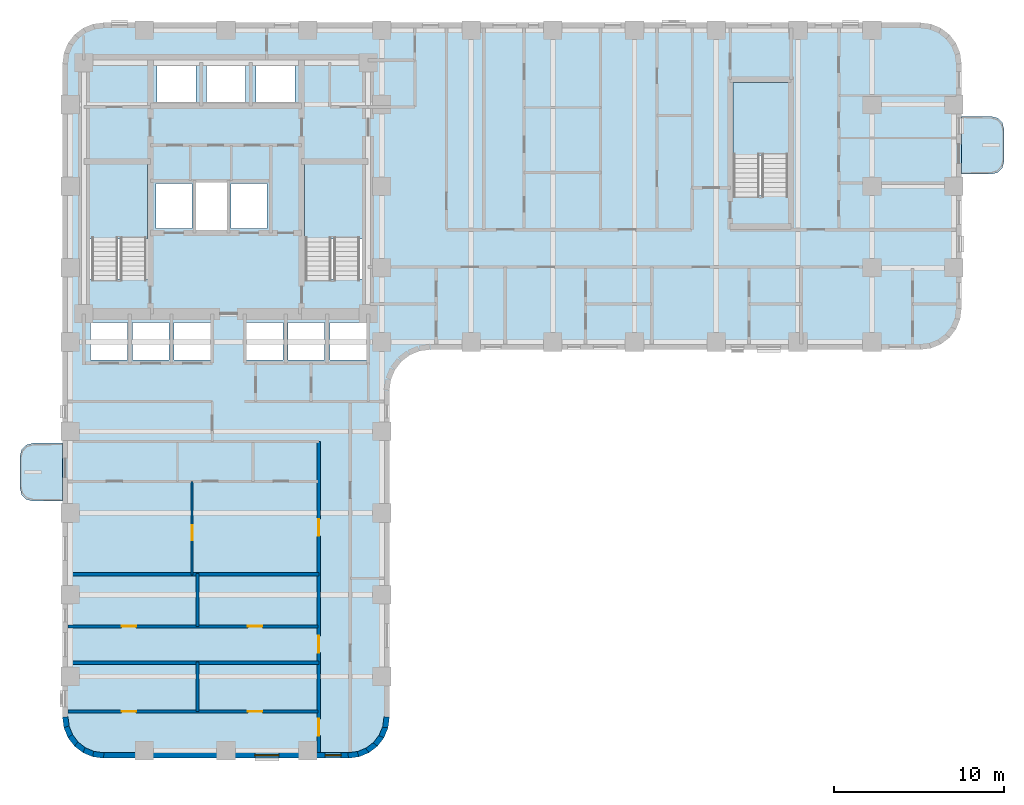
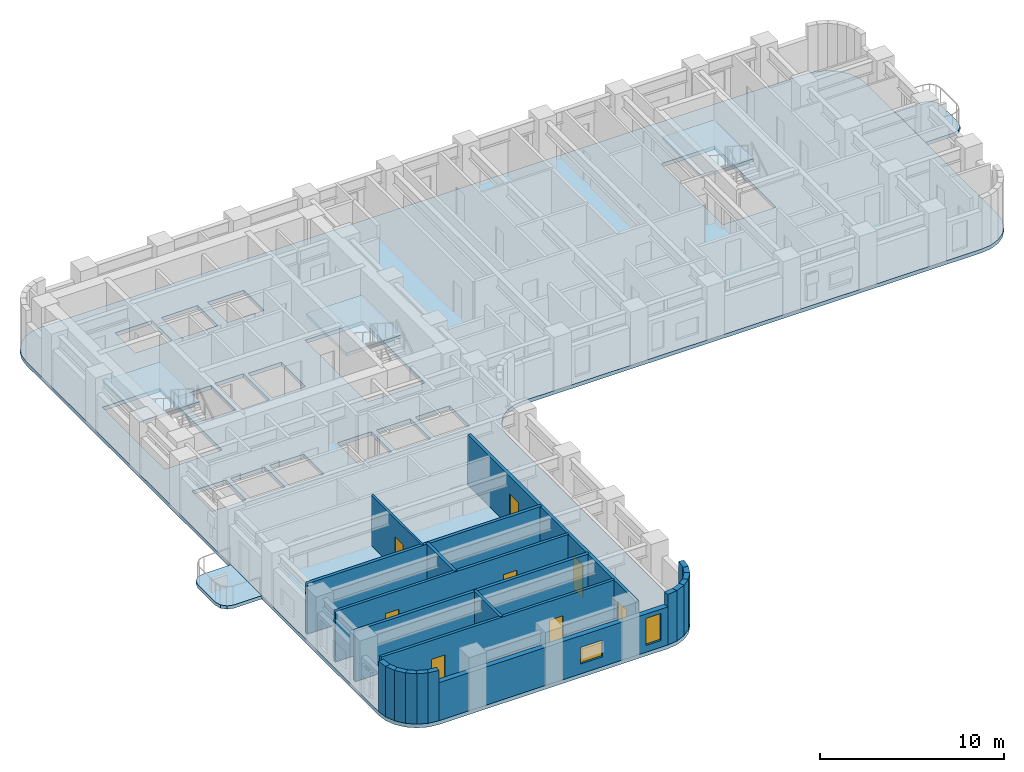
# One storey, part 2 of 11: 21 walls, 8 doors, 6 slabs, 2 windows, 10 openings, 3 elements without a shape of their own.
"""IFC4 building model written with IfcOpenShell, lengths in metres."""

from ifc_helpers import new_model, si_unit, direction, frame, frame_2d, origin, place, context, subcontext, project, spatial, polyline, rectangle, outline, extrude, material, layer, layer_set, type_object, element, fill, aggregate, save


model = new_model("IFC4")

# Units and contexts
model_context = context("Model", 3, precision=1e-05, world=origin(), true_north=direction((0.0, 1.0)))
body_context = subcontext(model_context, "Body", "Model", "MODEL_VIEW")
ifc_project = project(units=[si_unit("LENGTHUNIT", "METRE"), si_unit("AREAUNIT", "SQUARE_METRE"), si_unit("VOLUMEUNIT", "CUBIC_METRE"), si_unit("PLANEANGLEUNIT", "RADIAN"), si_unit("MASSUNIT", "GRAM", prefix="KILO")], contexts=[model_context])

# Site, building, storey
site_placement = place(None, origin())
site = spatial("IfcSite", under=ifc_project, at=site_placement, CompositionType="ELEMENT")
building_placement = place(site_placement, origin())
building = spatial("IfcBuilding", under=site, at=building_placement, Name="Orvandelia Arch Residences", CompositionType="ELEMENT")
storey_placement = place(building_placement, frame((0.0, 0.0, 82.60009765625)))
storey = spatial("IfcBuildingStorey", under=building, at=storey_placement, Name="L21", CompositionType="ELEMENT", Elevation=82.60009765625)

# Slabs
ifc_material_1 = material(Name="Precast concrete C40/50", Category="concrete")
ifc_layer_1 = layer(ifc_material_1, 0.219970703125, Name="Precast concrete C40/50", Category="concrete")
ifc_layer_set_1 = layer_set([ifc_layer_1], Name="Precast concrete C40/50")
slab_type_1 = type_object("IfcSlabType", Name="SLB-BAL-220", PredefinedType="USERDEFINED", material=ifc_layer_set_1)
slab_1_placement = place(storey_placement, frame((0.0, 0.0, -0.22021484375)))
element("IfcSlab", 1, at=slab_1_placement, inside=storey, type_object=slab_type_1, Name="Tree Balcony Cantilever Slab BAL-L21-W1", ObjectType="BALCONY", PredefinedType="USERDEFINED", context=body_context, shape_type="SweptSolid", body=[
    extrude(outline(polyline([(4.800048828125, 19.89990234375), (4.800048828125, 23.300048828125), (3.050048828125, 23.300048828125), (2.675048828125, 23.199462890625), (2.400390625, 22.925048828125), (2.300048828125, 22.550048828125), (2.300048828125, 20.64990234375), (2.400390625, 20.27490234375), (2.675048828125, 20.00048828125), (3.050048828125, 19.89990234375), (4.800048828125, 19.89990234375)])), origin(), (0.0, 0.0, 1.0), 0.22021484375),
])
slab_2_placement = place(storey_placement, frame((0.0, 0.0, -0.22021484375)))
element("IfcSlab", 2, at=slab_2_placement, inside=storey, type_object=slab_type_1, Name="Tree Balcony Cantilever Slab BAL-L21-E1", ObjectType="BALCONY", PredefinedType="USERDEFINED", context=body_context, shape_type="SweptSolid", body=[
    extrude(outline(polyline([(57.60009765625, 42.5), (57.60009765625, 39.10009765625), (59.35009765625, 39.10009765625), (59.72509765625, 39.200439453125), (59.99951171875, 39.47509765625), (60.10009765625, 39.85009765625), (60.10009765625, 41.75), (59.99951171875, 42.125), (59.72509765625, 42.3994140625), (59.35009765625, 42.5), (57.60009765625, 42.5)])), origin(), (0.0, 0.0, 1.0), 0.22021484375),
])

# Stair, slab
ifc_material_2 = material(Name="Concrete C40/50", Category="concrete")
stair_type = type_object("IfcStairType", Name="STAIR-RC-DOGLEG", PredefinedType="HALF_TURN_STAIR", material=ifc_material_2)
stair_1_placement = place(storey_placement, origin())
stair_1 = element("IfcStair", 3, at=stair_1_placement, inside=storey, type_object=stair_type, Name="L21 Protected Exit Stair ST-1", PredefinedType="HALF_TURN_STAIR")
ifc_layer_2 = layer(ifc_material_2, 0.219970703125, Name="Concrete C40/50", Category="concrete")
ifc_layer_set_2 = layer_set([ifc_layer_2], Name="Concrete C40/50")
slab_type_2 = type_object("IfcSlabType", Name="SLB-LANDING-220", PredefinedType="LANDING", material=ifc_layer_set_2)
slab_3_placement = place(storey_placement, frame((0.0, 0.0, 1.599853515625)))
slab_3 = element("IfcSlab", 4, at=slab_3_placement, type_object=slab_type_2, Name="ST-1 landing 1", PredefinedType="LANDING", context=body_context, shape_type="SweptSolid", body=[
    extrude(outline(polyline([(9.800048828125, 35.31005859375), (9.800048828125, 39.68994140625), (6.260009765625, 39.68994140625), (6.260009765625, 35.31005859375), (9.800048828125, 35.31005859375)])), origin(), (0.0, 0.0, 1.0), 0.199951171875),
])
aggregate(stair_1, [slab_3])

stair_2_placement = place(storey_placement, origin())
stair_2 = element("IfcStair", 5, at=stair_2_placement, inside=storey, type_object=stair_type, Name="L21 Protected Exit Stair ST-2", PredefinedType="HALF_TURN_STAIR")
slab_4_placement = place(storey_placement, frame((0.0, 0.0, 1.599853515625)))
slab_4 = element("IfcSlab", 6, at=slab_4_placement, type_object=slab_type_2, Name="ST-2 landing 1", PredefinedType="LANDING", context=body_context, shape_type="SweptSolid", body=[
    extrude(outline(polyline([(22.5400390625, 35.31005859375), (22.5400390625, 39.68994140625), (19.0, 39.68994140625), (19.0, 35.31005859375), (22.5400390625, 35.31005859375)])), origin(), (0.0, 0.0, 1.0), 0.199951171875),
])
aggregate(stair_2, [slab_4])

stair_3_placement = place(storey_placement, origin())
stair_3 = element("IfcStair", 7, at=stair_3_placement, inside=storey, type_object=stair_type, Name="L21 East Wing Exit Stair ST-3", PredefinedType="HALF_TURN_STAIR")
slab_5_placement = place(storey_placement, frame((0.0, 0.0, 1.599853515625)))
slab_5 = element("IfcSlab", 8, at=slab_5_placement, type_object=slab_type_2, Name="ST-3 landing 1", PredefinedType="LANDING", context=body_context, shape_type="SweptSolid", body=[
    extrude(outline(polyline([(47.43994140625, 40.2099609375), (47.43994140625, 44.5), (44.179931640625, 44.5), (44.179931640625, 40.2099609375), (47.43994140625, 40.2099609375)])), origin(), (0.0, 0.0, 1.0), 0.199951171875),
])
aggregate(stair_3, [slab_5])

# Slab
ifc_layer_3 = layer(ifc_material_2, 0.25, Name="Concrete C40/50", Category="concrete")
ifc_layer_set_3 = layer_set([ifc_layer_3], Name="Concrete C40/50")
slab_type_3 = type_object("IfcSlabType", Name="SLB-TWR-250", PredefinedType="FLOOR", material=ifc_layer_set_3)
slab_6_placement = place(storey_placement, frame((0.0, 0.0, -0.25)))
element("IfcSlab", 9, at=slab_6_placement, inside=storey, type_object=slab_type_3, Name="Structural Floor Slab L21-1", PredefinedType="FLOOR", context=body_context, shape_type="SweptSolid", body=[
    extrude(outline(polyline([(4.800048828125, 7.199951171875), (4.8818359375, 6.578857421875), (5.12158203125, 6.0), (5.5029296875, 5.5029296875), (6.0, 5.12158203125), (6.578857421875, 4.8818359375), (7.199951171875, 4.800048828125), (21.60009765625, 4.800048828125), (22.22119140625, 4.8818359375), (22.800048828125, 5.12158203125), (23.297119140625, 5.5029296875), (23.678466796875, 6.0), (23.918212890625, 6.578857421875), (24.0, 7.199951171875), (24.0, 26.39990234375), (24.081787109375, 27.021240234375), (24.321533203125, 27.60009765625), (24.702880859375, 28.09716796875), (25.199951171875, 28.478515625), (25.77880859375, 28.71826171875), (26.39990234375, 28.800048828125), (55.199951171875, 28.800048828125), (55.8212890625, 28.8818359375), (56.39990234375, 29.12158203125), (56.897216796875, 29.5029296875), (57.278564453125, 30.0), (57.518310546875, 30.578857421875), (57.60009765625, 31.199951171875), (57.60009765625, 45.60009765625), (57.518310546875, 46.22119140625), (57.278564453125, 46.800048828125), (56.897216796875, 47.297119140625), (56.39990234375, 47.678466796875), (55.8212890625, 47.918212890625), (55.199951171875, 48.0), (7.199951171875, 48.0), (6.578857421875, 47.918212890625), (6.0, 47.678466796875), (5.5029296875, 47.297119140625), (5.12158203125, 46.800048828125), (4.8818359375, 46.22119140625), (4.800048828125, 45.60009765625), (4.800048828125, 7.199951171875)]), holes=[polyline([(6.219970703125, 32.949951171875), (9.840087890625, 32.949951171875), (9.840087890625, 39.72998046875), (6.219970703125, 39.72998046875), (6.219970703125, 32.949951171875)]), polyline([(18.9599609375, 32.949951171875), (22.580078125, 32.949951171875), (22.580078125, 39.72998046875), (18.9599609375, 39.72998046875), (18.9599609375, 32.949951171875)]), polyline([(44.139892578125, 37.85009765625), (47.47998046875, 37.85009765625), (47.47998046875, 44.5400390625), (44.139892578125, 44.5400390625), (44.139892578125, 37.85009765625)]), polyline([(12.639892578125, 35.81005859375), (14.4599609375, 35.81005859375), (14.4599609375, 38.639892578125), (12.639892578125, 38.639892578125), (12.639892578125, 35.81005859375)]), polyline([(10.300048828125, 35.89990234375), (12.39990234375, 35.89990234375), (12.39990234375, 38.550048828125), (10.300048828125, 38.550048828125), (10.300048828125, 35.89990234375)]), polyline([(14.699951171875, 35.89990234375), (16.800048828125, 35.89990234375), (16.800048828125, 38.550048828125), (14.699951171875, 38.550048828125), (14.699951171875, 35.89990234375)]), polyline([(10.35009765625, 43.300048828125), (12.64990234375, 43.300048828125), (12.64990234375, 45.5), (10.35009765625, 45.5), (10.35009765625, 43.300048828125)]), polyline([(13.25, 43.300048828125), (15.550048828125, 43.300048828125), (15.550048828125, 45.5), (13.25, 45.5), (13.25, 43.300048828125)]), polyline([(16.14990234375, 43.300048828125), (18.449951171875, 43.300048828125), (18.449951171875, 45.5), (16.14990234375, 45.5), (16.14990234375, 43.300048828125)]), polyline([(6.449951171875, 28.199951171875), (8.60009765625, 28.199951171875), (8.60009765625, 30.39990234375), (6.449951171875, 30.39990234375), (6.449951171875, 28.199951171875)]), polyline([(8.89990234375, 28.199951171875), (11.050048828125, 28.199951171875), (11.050048828125, 30.39990234375), (8.89990234375, 30.39990234375), (8.89990234375, 28.199951171875)]), polyline([(11.35009765625, 28.199951171875), (13.5, 28.199951171875), (13.5, 30.39990234375), (11.35009765625, 30.39990234375), (11.35009765625, 28.199951171875)]), polyline([(15.60009765625, 28.199951171875), (17.75, 28.199951171875), (17.75, 30.39990234375), (15.60009765625, 30.39990234375), (15.60009765625, 28.199951171875)]), polyline([(18.050048828125, 28.199951171875), (20.199951171875, 28.199951171875), (20.199951171875, 30.39990234375), (18.050048828125, 30.39990234375), (18.050048828125, 28.199951171875)]), polyline([(20.5, 28.199951171875), (22.64990234375, 28.199951171875), (22.64990234375, 30.39990234375), (20.5, 30.39990234375), (20.5, 28.199951171875)])]), origin(), (0.0, 0.0, 1.0), 0.25),
])

# Wall, openings, doors
ifc_material_3 = material(Name="Fire-Rated Corridor Partition")
ifc_layer_4 = layer(ifc_material_3, 0.199951171875, Name="Fire-Rated Corridor Partition")
ifc_layer_set_4 = layer_set([ifc_layer_4], Name="Fire-Rated Corridor Partition")
wall_type_1 = type_object("IfcWallType", Name="WL-CORR-200", PredefinedType="PARTITIONING", material=ifc_layer_set_4)
wall_1_placement = place(storey_placement, frame((19.85009765625, 5.1201171875, 0.0), z_axis=(0.0, 0.0, 1.0), x_axis=(0.0, 1.0, 0.0)))
wall_1 = element("IfcWall", 10, at=wall_1_placement, inside=storey, type_object=wall_type_1, Name="Interior Partition Wall WL-L21-WC-W", PredefinedType="PARTITIONING", context=body_context, shape_type="SweptSolid", body=[
    extrude(rectangle(XDim=18.27978515625, YDim=0.199951171875, at=frame_2d((9.139892578125, 0.0))), origin(), (0.0, 0.0, 1.0), 3.349853515625),
])
opening_1_placement = place(wall_1_placement, frame((1.0009765625, 0.0, 0.0)))
opening_1 = element("IfcOpeningElement", 11, at=opening_1_placement, cuts=wall_1, Name="Opening D1", PredefinedType="OPENING", context=body_context, shape_type="SweptSolid", body=[
    extrude(rectangle(XDim=0.97998046875, YDim=2.179931640625, at=frame_2d((0.489990234375, 1.08984375))), frame((0.0, 0.10986328125, 0.0), z_axis=(0.0, -1.0, 0.0), x_axis=(1.0, 0.0, 0.0)), (0.0, 0.0, 1.0), 0.219970703125),
])
opening_2_placement = place(wall_1_placement, frame((5.8798828125, 0.0, 0.0)))
opening_2 = element("IfcOpeningElement", 12, at=opening_2_placement, cuts=wall_1, Name="Opening D1", PredefinedType="OPENING", context=body_context, shape_type="SweptSolid", body=[
    extrude(rectangle(XDim=0.97998046875, YDim=2.179931640625, at=frame_2d((0.489990234375, 1.08984375))), frame((0.0, 0.10986328125, 0.0), z_axis=(0.0, -1.0, 0.0), x_axis=(1.0, 0.0, 0.0)), (0.0, 0.0, 1.0), 0.219970703125),
])
opening_3_placement = place(wall_1_placement, frame((12.739990234375, 0.0, 0.0)))
opening_3 = element("IfcOpeningElement", 13, at=opening_3_placement, cuts=wall_1, Name="Opening D1", PredefinedType="OPENING", context=body_context, shape_type="SweptSolid", body=[
    extrude(rectangle(XDim=0.97998046875, YDim=2.179931640625, at=frame_2d((0.489990234375, 1.08984375))), frame((0.0, 0.10986328125, 0.0), z_axis=(0.0, -1.0, 0.0), x_axis=(1.0, 0.0, 0.0)), (0.0, 0.0, 1.0), 0.219970703125),
])
ifc_material_4 = material(Name="Solid-Core Timber Acoustic Fire Door", Category="wood")
door_type_1 = type_object("IfcDoorType", Name="DR-ENT-980", OperationType="NOTDEFINED", PredefinedType="DOOR", material=ifc_material_4)
door_1_placement = place(opening_1_placement, origin())
door_1 = element("IfcDoor", 14, at=door_1_placement, inside=storey, type_object=door_type_1, Name="Unit L21-01 Entrance Door", OperationType="SINGLE_SWING_LEFT", OverallHeight=2.179931640625, OverallWidth=0.97998046875, PredefinedType="DOOR", context=body_context, shape_type="SweptSolid", body=[
    extrude(rectangle(XDim=0.97998046875, YDim=2.179931640625, at=frame_2d((0.489990234375, 1.08984375))), frame((0.0, 0.02490234375, 0.0), z_axis=(0.0, -1.0, 0.0), x_axis=(1.0, 0.0, 0.0)), (0.0, 0.0, 1.0), 0.050048828125),
])
fill(opening_1, door_1)
door_2_placement = place(opening_2_placement, origin())
door_2 = element("IfcDoor", 15, at=door_2_placement, inside=storey, type_object=door_type_1, Name="Unit L21-02 Entrance Door", OperationType="SINGLE_SWING_RIGHT", OverallHeight=2.179931640625, OverallWidth=0.97998046875, PredefinedType="DOOR", context=body_context, shape_type="SweptSolid", body=[
    extrude(rectangle(XDim=0.97998046875, YDim=2.179931640625, at=frame_2d((0.489990234375, 1.08984375))), frame((0.0, 0.02490234375, 0.0), z_axis=(0.0, -1.0, 0.0), x_axis=(1.0, 0.0, 0.0)), (0.0, 0.0, 1.0), 0.050048828125),
])
fill(opening_2, door_2)
door_3_placement = place(opening_3_placement, origin())
door_3 = element("IfcDoor", 16, at=door_3_placement, inside=storey, type_object=door_type_1, Name="Unit L21-03 Entrance Door", OperationType="SINGLE_SWING_LEFT", OverallHeight=2.179931640625, OverallWidth=0.97998046875, PredefinedType="DOOR", context=body_context, shape_type="SweptSolid", body=[
    extrude(rectangle(XDim=0.97998046875, YDim=2.179931640625, at=frame_2d((0.489990234375, 1.08984375))), frame((0.0, 0.02490234375, 0.0), z_axis=(0.0, -1.0, 0.0), x_axis=(1.0, 0.0, 0.0)), (0.0, 0.0, 1.0), 0.050048828125),
])
fill(opening_3, door_3)

# Walls
ifc_layer_5 = layer(ifc_material_2, 0.199951171875, Name="Concrete C40/50", Category="concrete")
ifc_layer_set_5 = layer_set([ifc_layer_5], Name="Concrete C40/50")
wall_type_2 = type_object("IfcWallType", Name="WL-DEM-200", PredefinedType="SOLIDWALL", material=ifc_layer_set_5)
for number, where, z_axis, x_axis, name in (
    (17, (5.1201171875, 10.39990234375, 0.0), (0.0, 0.0, 1.0), (1.0, 0.0, 0.0), "Interior Partition Wall WL-L21-DEM-WL-104"),
    (18, (5.1201171875, 15.60009765625, 0.0), (0.0, 0.0, 1.0), (1.0, 0.0, 0.0), "Interior Partition Wall WL-L21-DEM-WL-156"),
):
    element("IfcWall", number, at=place(storey_placement, frame(where, z_axis=z_axis, x_axis=x_axis)), inside=storey, type_object=wall_type_2, Name=name, PredefinedType="SOLIDWALL", context=body_context, shape_type="SweptSolid", body=[
        extrude(rectangle(XDim=14.72998046875, YDim=0.199951171875, at=frame_2d((7.364990234375, 0.0))), origin(), (0.0, 0.0, 1.0), 3.349853515625),
    ])
ifc_layer_6 = layer(ifc_material_1, 0.320068359375, Name="Precast concrete C40/50", Category="concrete")
ifc_layer_set_6 = layer_set([ifc_layer_6], Name="Precast concrete C40/50")
wall_type_3 = type_object("IfcWallType", Name="WL-EXT-STONE-320", PredefinedType="STANDARD", material=ifc_layer_set_6)
wall_2_placement = place(storey_placement, frame((23.84130859375, 7.220947265625, 0.0), z_axis=(0.0, 0.0, 1.0), x_axis=(-0.130504898859, -0.991447664465, 0.0)))
element("IfcWall", 19, at=wall_2_placement, inside=storey, type_object=wall_type_3, Name="Coral-Limestone Precast Facade Wall L21-029", PredefinedType="STANDARD", context=body_context, shape_type="SweptSolid", body=[
    extrude(rectangle(XDim=0.626708984375, YDim=0.320068359375, at=frame_2d((0.3134765625, 0.0))), origin(), (0.0, 0.0, 1.0), 3.349853515625),
])
wall_3_placement = place(storey_placement, frame((23.7705078125, 6.639892578125, 0.0), z_axis=(0.0, 0.0, 1.0), x_axis=(-0.382787856107, -0.923836271867, 0.0)))
element("IfcWall", 20, at=wall_3_placement, inside=storey, type_object=wall_type_3, Name="Coral-Limestone Precast Facade Wall L21-030", PredefinedType="STANDARD", context=body_context, shape_type="SweptSolid", body=[
    extrude(rectangle(XDim=0.626220703125, YDim=0.320068359375, at=frame_2d((0.31298828125, 0.0))), origin(), (0.0, 0.0, 1.0), 3.349853515625),
])
wall_4_placement = place(storey_placement, frame((23.551513671875, 6.097412109375, 0.0), z_axis=(0.0, 0.0, 1.0), x_axis=(-0.608693302629, -0.793405610854, 0.0)))
element("IfcWall", 21, at=wall_4_placement, inside=storey, type_object=wall_type_3, Name="Coral-Limestone Precast Facade Wall L21-031", PredefinedType="STANDARD", context=body_context, shape_type="SweptSolid", body=[
    extrude(rectangle(XDim=0.62646484375, YDim=0.320068359375, at=frame_2d((0.313232421875, 0.0))), origin(), (0.0, 0.0, 1.0), 3.349853515625),
])
wall_5_placement = place(storey_placement, frame((23.19970703125, 5.6298828125, 0.0), z_axis=(0.0, 0.0, 1.0), x_axis=(-0.7932174212, -0.608938521285, 0.0)))
element("IfcWall", 22, at=wall_5_placement, inside=storey, type_object=wall_type_3, Name="Coral-Limestone Precast Facade Wall L21-032", PredefinedType="STANDARD", context=body_context, shape_type="SweptSolid", body=[
    extrude(rectangle(XDim=0.626708984375, YDim=0.320068359375, at=frame_2d((0.3134765625, 0.0))), origin(), (0.0, 0.0, 1.0), 3.349853515625),
])
for number, where, z_axis, x_axis, name in (
    (23, (22.73876953125, 5.269287109375, 0.0), (0.0, 0.0, 1.0), (-0.92389335771, -0.382650053678, 0.0), "Coral-Limestone Precast Facade Wall L21-033"),
    (24, (22.2001953125, 5.040283203125, 0.0), (0.0, 0.0, 1.0), (-0.9914410257, -0.130555323746, 0.0), "Coral-Limestone Precast Facade Wall L21-034"),
):
    element("IfcWall", number, at=place(storey_placement, frame(where, z_axis=z_axis, x_axis=x_axis)), inside=storey, type_object=wall_type_3, Name=name, PredefinedType="STANDARD", context=body_context, shape_type="SweptSolid", body=[
        extrude(rectangle(XDim=0.62646484375, YDim=0.320068359375, at=frame_2d((0.313232421875, 0.0))), origin(), (0.0, 0.0, 1.0), 3.349853515625),
    ])

# Wall, openings, windows
wall_6_placement = place(storey_placement, frame((21.60009765625, 4.9599609375, 0.0), z_axis=(0.0, 0.0, 1.0), x_axis=(-1.0, 0.0, 0.0)))
wall_6 = element("IfcWall", 25, at=wall_6_placement, inside=storey, type_object=wall_type_3, Name="Coral-Limestone Precast Facade Wall L21-035", PredefinedType="STANDARD", context=body_context, shape_type="SweptSolid", body=[
    extrude(rectangle(XDim=14.400146484375, YDim=0.320068359375, at=frame_2d((7.2001953125, 0.0))), origin(), (0.0, 0.0, 1.0), 2.52978515625),
])
opening_4_placement = place(wall_6_placement, frame((4.10009765625, 0.0, 0.64990234375)))
opening_4 = element("IfcOpeningElement", 26, at=opening_4_placement, cuts=wall_6, Name="Opening W10", PredefinedType="OPENING", context=body_context, shape_type="SweptSolid", body=[
    extrude(rectangle(XDim=1.39990234375, YDim=1.10009765625, at=frame_2d((0.699951171875, 0.550048828125))), frame((0.0, 0.169921875, 0.0), z_axis=(0.0, -1.0, 0.0), x_axis=(1.0, 0.0, 0.0)), (0.0, 0.0, 1.0), 0.340087890625),
])
opening_5_placement = place(wall_6_placement, frame((0.429931640625, 0.0, 0.449951171875)))
opening_5 = element("IfcOpeningElement", 27, at=opening_5_placement, cuts=wall_6, Name="Opening W4", PredefinedType="OPENING", context=body_context, shape_type="SweptSolid", body=[
    extrude(rectangle(XDim=0.949951171875, YDim=1.800048828125, at=frame_2d((0.47509765625, 0.89990234375))), frame((0.0, 0.169921875, 0.0), z_axis=(0.0, -1.0, 0.0), x_axis=(1.0, 0.0, 0.0)), (0.0, 0.0, 1.0), 0.340087890625),
])
ifc_material_5 = material(Name="Tempered Low-E Insulated Glazing", Category="glass")
window_type_1 = type_object("IfcWindowType", Name="WIN-CLR-1400x1100", PartitioningType="SINGLE_PANEL", PredefinedType="WINDOW", material=ifc_material_5)
window_1_placement = place(opening_4_placement, origin())
window_1 = element("IfcWindow", 28, at=window_1_placement, inside=storey, type_object=window_type_1, Name="Recessed Punched Window L21-024", OverallHeight=1.10009765625, OverallWidth=1.39990234375, PartitioningType="SINGLE_PANEL", PredefinedType="WINDOW", context=body_context, shape_type="SweptSolid", body=[
    extrude(rectangle(XDim=1.39990234375, YDim=1.10009765625, at=frame_2d((0.699951171875, 0.550048828125))), frame((0.0, 0.030029296875, 0.0), z_axis=(0.0, -1.0, 0.0), x_axis=(1.0, 0.0, 0.0)), (0.0, 0.0, 1.0), 0.06005859375),
])
fill(opening_4, window_1)
window_type_2 = type_object("IfcWindowType", Name="WIN-RES-0950x1800", PartitioningType="SINGLE_PANEL", PredefinedType="WINDOW", material=ifc_material_5)
window_2_placement = place(opening_5_placement, origin())
window_2 = element("IfcWindow", 29, at=window_2_placement, inside=storey, type_object=window_type_2, Name="Recessed Punched Window L21-025", OverallHeight=1.800048828125, OverallWidth=0.949951171875, PartitioningType="SINGLE_PANEL", PredefinedType="WINDOW", context=body_context, shape_type="SweptSolid", body=[
    extrude(rectangle(XDim=0.949951171875, YDim=1.800048828125, at=frame_2d((0.47509765625, 0.89990234375))), frame((0.0, 0.030029296875, 0.0), z_axis=(0.0, -1.0, 0.0), x_axis=(1.0, 0.0, 0.0)), (0.0, 0.0, 1.0), 0.06005859375),
])
fill(opening_5, window_2)

# Walls
wall_7_placement = place(storey_placement, frame((7.220947265625, 4.95849609375, 0.0), z_axis=(0.0, 0.0, 1.0), x_axis=(-0.991447664465, 0.130504898859, 0.0)))
element("IfcWall", 30, at=wall_7_placement, inside=storey, type_object=wall_type_3, Name="Coral-Limestone Precast Facade Wall L21-036", PredefinedType="STANDARD", context=body_context, shape_type="SweptSolid", body=[
    extrude(rectangle(XDim=0.626708984375, YDim=0.320068359375, at=frame_2d((0.3134765625, 0.0))), origin(), (0.0, 0.0, 1.0), 3.349853515625),
])
wall_8_placement = place(storey_placement, frame((6.639892578125, 5.029541015625, 0.0), z_axis=(0.0, 0.0, 1.0), x_axis=(-0.923836271867, 0.382787856107, 0.0)))
element("IfcWall", 31, at=wall_8_placement, inside=storey, type_object=wall_type_3, Name="Coral-Limestone Precast Facade Wall L21-037", PredefinedType="STANDARD", context=body_context, shape_type="SweptSolid", body=[
    extrude(rectangle(XDim=0.626220703125, YDim=0.320068359375, at=frame_2d((0.31298828125, 0.0))), origin(), (0.0, 0.0, 1.0), 3.349853515625),
])
for number, where, z_axis, x_axis, name in (
    (32, (6.097412109375, 5.248291015625, 0.0), (0.0, 0.0, 1.0), (-0.7932174212, 0.608938521285, 0.0), "Coral-Limestone Precast Facade Wall L21-038"),
    (33, (5.6298828125, 5.600341796875, 0.0), (0.0, 0.0, 1.0), (-0.608938521285, 0.7932174212, 0.0), "Coral-Limestone Precast Facade Wall L21-039"),
):
    element("IfcWall", number, at=place(storey_placement, frame(where, z_axis=z_axis, x_axis=x_axis)), inside=storey, type_object=wall_type_3, Name=name, PredefinedType="STANDARD", context=body_context, shape_type="SweptSolid", body=[
        extrude(rectangle(XDim=0.626708984375, YDim=0.320068359375, at=frame_2d((0.3134765625, 0.0))), origin(), (0.0, 0.0, 1.0), 3.349853515625),
    ])
wall_9_placement = place(storey_placement, frame((5.269287109375, 6.061279296875, 0.0), z_axis=(0.0, 0.0, 1.0), x_axis=(-0.382787856107, 0.923836271867, 0.0)))
element("IfcWall", 34, at=wall_9_placement, inside=storey, type_object=wall_type_3, Name="Coral-Limestone Precast Facade Wall L21-040", PredefinedType="STANDARD", context=body_context, shape_type="SweptSolid", body=[
    extrude(rectangle(XDim=0.626220703125, YDim=0.320068359375, at=frame_2d((0.31298828125, 0.0))), origin(), (0.0, 0.0, 1.0), 3.349853515625),
])
wall_10_placement = place(storey_placement, frame((5.040283203125, 6.599609375, 0.0), z_axis=(0.0, 0.0, 1.0), x_axis=(-0.130504898859, 0.991447664465, 0.0)))
element("IfcWall", 35, at=wall_10_placement, inside=storey, type_object=wall_type_3, Name="Coral-Limestone Precast Facade Wall L21-041", PredefinedType="STANDARD", context=body_context, shape_type="SweptSolid", body=[
    extrude(rectangle(XDim=0.626708984375, YDim=0.320068359375, at=frame_2d((0.3134765625, 0.0))), origin(), (0.0, 0.0, 1.0), 3.349853515625),
])

# Wall, opening, door
ifc_material_6 = material(Name="Double-Layer Acoustic Gypsum Partition")
ifc_layer_7 = layer(ifc_material_6, 0.135009765625, Name="Double-Layer Acoustic Gypsum Partition")
ifc_layer_set_7 = layer_set([ifc_layer_7], Name="Double-Layer Acoustic Gypsum Partition")
wall_type_4 = type_object("IfcWallType", Name="WL-PART-135", PredefinedType="PARTITIONING", material=ifc_layer_set_7)
wall_11_placement = place(storey_placement, frame((12.408935546875, 15.56005859375, 0.0), z_axis=(0.0, 0.0, 1.0), x_axis=(0.0, 1.0, 0.0)))
wall_11 = element("IfcWall", 36, at=wall_11_placement, inside=storey, type_object=wall_type_4, Name="Interior Partition Wall WL-L21-U03-DIN", PredefinedType="PARTITIONING", context=body_context, shape_type="SweptSolid", body=[
    extrude(rectangle(XDim=5.5, YDim=0.135009765625, at=frame_2d((2.75, 0.0))), origin(), (0.0, 0.0, 1.0), 3.349853515625),
])
opening_6_placement = place(wall_11_placement, frame((2.033935546875, 0.0, 0.0)))
opening_6 = element("IfcOpeningElement", 37, at=opening_6_placement, cuts=wall_11, Name="Opening D3", PredefinedType="OPENING", context=body_context, shape_type="SweptSolid", body=[
    extrude(rectangle(XDim=0.89990234375, YDim=2.14990234375, at=frame_2d((0.449951171875, 1.074951171875))), frame((0.0, 0.07763671875, 0.0), z_axis=(0.0, -1.0, 0.0), x_axis=(1.0, 0.0, 0.0)), (0.0, 0.0, 1.0), 0.155029296875),
])
ifc_material_7 = material(Name="Engineered Timber Flush Door", Category="wood")
door_type_2 = type_object("IfcDoorType", Name="DR-INT-900", OperationType="NOTDEFINED", PredefinedType="DOOR", material=ifc_material_7)
door_4_placement = place(opening_6_placement, origin())
door_4 = element("IfcDoor", 38, at=door_4_placement, inside=storey, type_object=door_type_2, Name="DR-L21-U03-DIN", OperationType="SINGLE_SWING_RIGHT", OverallHeight=2.14990234375, OverallWidth=0.89990234375, PredefinedType="DOOR", context=body_context, shape_type="SweptSolid", body=[
    extrude(rectangle(XDim=0.89990234375, YDim=2.14990234375, at=frame_2d((0.449951171875, 1.074951171875))), frame((0.0, 0.02490234375, 0.0), z_axis=(0.0, -1.0, 0.0), x_axis=(1.0, 0.0, 0.0)), (0.0, 0.0, 1.0), 0.050048828125),
])
fill(opening_6, door_4)

# Wall, openings, doors
ifc_material_8 = material(Name="Moisture-Resistant Plumbing Wall")
ifc_layer_8 = layer(ifc_material_8, 0.179931640625, Name="Moisture-Resistant Plumbing Wall")
ifc_layer_set_8 = layer_set([ifc_layer_8], Name="Moisture-Resistant Plumbing Wall")
wall_type_5 = type_object("IfcWallType", Name="WL-WET-180", PredefinedType="PLUMBINGWALL", material=ifc_layer_set_8)
wall_12_placement = place(storey_placement, frame((5.1201171875, 7.5419921875, 0.0), z_axis=(0.0, 0.0, 1.0), x_axis=(1.0, 0.0, 0.0)))
wall_12 = element("IfcWall", 39, at=wall_12_placement, inside=storey, type_object=wall_type_5, Name="Interior Partition Wall WL-L21-U01-HZ", PredefinedType="PLUMBINGWALL", context=body_context, shape_type="SweptSolid", body=[
    extrude(rectangle(XDim=14.669921875, YDim=0.179931640625, at=frame_2d((7.3349609375, 0.0))), origin(), (0.0, 0.0, 1.0), 3.349853515625),
])
opening_7_placement = place(wall_12_placement, frame((3.14501953125, 0.0, 0.0)))
opening_7 = element("IfcOpeningElement", 40, at=opening_7_placement, cuts=wall_12, Name="Opening D4", PredefinedType="OPENING", context=body_context, shape_type="SweptSolid", body=[
    extrude(rectangle(XDim=0.860107421875, YDim=2.10009765625, at=frame_2d((0.43017578125, 1.050048828125))), frame((0.0, 0.10009765625, 0.0), z_axis=(0.0, -1.0, 0.0), x_axis=(1.0, 0.0, 0.0)), (0.0, 0.0, 1.0), 0.199951171875),
])
opening_8_placement = place(wall_12_placement, frame((10.56005859375, 0.0, 0.0)))
opening_8 = element("IfcOpeningElement", 41, at=opening_8_placement, cuts=wall_12, Name="Opening D4", PredefinedType="OPENING", context=body_context, shape_type="SweptSolid", body=[
    extrude(rectangle(XDim=0.860107421875, YDim=2.10009765625, at=frame_2d((0.43017578125, 1.050048828125))), frame((0.0, 0.10009765625, 0.0), z_axis=(0.0, -1.0, 0.0), x_axis=(1.0, 0.0, 0.0)), (0.0, 0.0, 1.0), 0.199951171875),
])
ifc_material_9 = material(Name="Moisture-Sealed Timber Bathroom Door", Category="wood")
door_type_3 = type_object("IfcDoorType", Name="DR-WET-900", OperationType="NOTDEFINED", PredefinedType="DOOR", material=ifc_material_9)
door_5_placement = place(opening_7_placement, origin())
door_5 = element("IfcDoor", 42, at=door_5_placement, inside=storey, type_object=door_type_3, Name="DR-L21-U01-KIT", OperationType="SINGLE_SWING_LEFT", OverallHeight=2.10009765625, OverallWidth=0.860107421875, PredefinedType="DOOR", context=body_context, shape_type="SweptSolid", body=[
    extrude(rectangle(XDim=0.860107421875, YDim=2.10009765625, at=frame_2d((0.43017578125, 1.050048828125))), frame((0.0, 0.02490234375, 0.0), z_axis=(0.0, -1.0, 0.0), x_axis=(1.0, 0.0, 0.0)), (0.0, 0.0, 1.0), 0.050048828125),
])
fill(opening_7, door_5)
door_6_placement = place(opening_8_placement, origin())
door_6 = element("IfcDoor", 43, at=door_6_placement, inside=storey, type_object=door_type_3, Name="DR-L21-U01-BTH", OperationType="SINGLE_SWING_RIGHT", OverallHeight=2.10009765625, OverallWidth=0.860107421875, PredefinedType="DOOR", context=body_context, shape_type="SweptSolid", body=[
    extrude(rectangle(XDim=0.860107421875, YDim=2.10009765625, at=frame_2d((0.43017578125, 1.050048828125))), frame((0.0, 0.02490234375, 0.0), z_axis=(0.0, -1.0, 0.0), x_axis=(1.0, 0.0, 0.0)), (0.0, 0.0, 1.0), 0.050048828125),
])
fill(opening_8, door_6)

# Wall
wall_13_placement = place(storey_placement, frame((12.719970703125, 7.5419921875, 0.0), z_axis=(0.0, 0.0, 1.0), x_axis=(0.0, 1.0, 0.0)))
element("IfcWall", 44, at=wall_13_placement, inside=storey, type_object=wall_type_5, Name="Interior Partition Wall WL-L21-U01-V1", PredefinedType="PLUMBINGWALL", context=body_context, shape_type="SweptSolid", body=[
    extrude(rectangle(XDim=2.89794921875, YDim=0.179931640625, at=frame_2d((1.448974609375, 0.0))), origin(), (0.0, 0.0, 1.0), 3.349853515625),
])

# Wall, openings, doors
wall_14_placement = place(storey_placement, frame((5.1201171875, 12.5400390625, 0.0), z_axis=(0.0, 0.0, 1.0), x_axis=(1.0, 0.0, 0.0)))
wall_14 = element("IfcWall", 45, at=wall_14_placement, inside=storey, type_object=wall_type_5, Name="Interior Partition Wall WL-L21-U02-HZ", PredefinedType="PLUMBINGWALL", context=body_context, shape_type="SweptSolid", body=[
    extrude(rectangle(XDim=14.669921875, YDim=0.179931640625, at=frame_2d((7.3349609375, 0.0))), origin(), (0.0, 0.0, 1.0), 3.349853515625),
])
opening_9_placement = place(wall_14_placement, frame((3.14501953125, 0.0, 0.0)))
opening_9 = element("IfcOpeningElement", 46, at=opening_9_placement, cuts=wall_14, Name="Opening D4", PredefinedType="OPENING", context=body_context, shape_type="SweptSolid", body=[
    extrude(rectangle(XDim=0.860107421875, YDim=2.10009765625, at=frame_2d((0.43017578125, 1.050048828125))), frame((0.0, 0.10009765625, 0.0), z_axis=(0.0, -1.0, 0.0), x_axis=(1.0, 0.0, 0.0)), (0.0, 0.0, 1.0), 0.199951171875),
])
opening_10_placement = place(wall_14_placement, frame((10.56005859375, 0.0, 0.0)))
opening_10 = element("IfcOpeningElement", 47, at=opening_10_placement, cuts=wall_14, Name="Opening D4", PredefinedType="OPENING", context=body_context, shape_type="SweptSolid", body=[
    extrude(rectangle(XDim=0.860107421875, YDim=2.10009765625, at=frame_2d((0.43017578125, 1.050048828125))), frame((0.0, 0.10009765625, 0.0), z_axis=(0.0, -1.0, 0.0), x_axis=(1.0, 0.0, 0.0)), (0.0, 0.0, 1.0), 0.199951171875),
])
door_7_placement = place(opening_9_placement, origin())
door_7 = element("IfcDoor", 48, at=door_7_placement, inside=storey, type_object=door_type_3, Name="DR-L21-U02-KIT", OperationType="SINGLE_SWING_RIGHT", OverallHeight=2.10009765625, OverallWidth=0.860107421875, PredefinedType="DOOR", context=body_context, shape_type="SweptSolid", body=[
    extrude(rectangle(XDim=0.860107421875, YDim=2.10009765625, at=frame_2d((0.43017578125, 1.050048828125))), frame((0.0, 0.02490234375, 0.0), z_axis=(0.0, -1.0, 0.0), x_axis=(1.0, 0.0, 0.0)), (0.0, 0.0, 1.0), 0.050048828125),
])
fill(opening_9, door_7)
door_8_placement = place(opening_10_placement, origin())
door_8 = element("IfcDoor", 49, at=door_8_placement, inside=storey, type_object=door_type_3, Name="DR-L21-U02-BTH", OperationType="SINGLE_SWING_LEFT", OverallHeight=2.10009765625, OverallWidth=0.860107421875, PredefinedType="DOOR", context=body_context, shape_type="SweptSolid", body=[
    extrude(rectangle(XDim=0.860107421875, YDim=2.10009765625, at=frame_2d((0.43017578125, 1.050048828125))), frame((0.0, 0.02490234375, 0.0), z_axis=(0.0, -1.0, 0.0), x_axis=(1.0, 0.0, 0.0)), (0.0, 0.0, 1.0), 0.050048828125),
])
fill(opening_10, door_8)

# Wall
wall_15_placement = place(storey_placement, frame((12.719970703125, 12.5400390625, 0.0), z_axis=(0.0, 0.0, 1.0), x_axis=(0.0, 1.0, 0.0)))
element("IfcWall", 50, at=wall_15_placement, inside=storey, type_object=wall_type_5, Name="Interior Partition Wall WL-L21-U02-V1", PredefinedType="PLUMBINGWALL", context=body_context, shape_type="SweptSolid", body=[
    extrude(rectangle(XDim=3.099853515625, YDim=0.179931640625, at=frame_2d((1.5498046875, 0.0))), origin(), (0.0, 0.0, 1.0), 3.349853515625),
])

save(model, "model.ifc")
